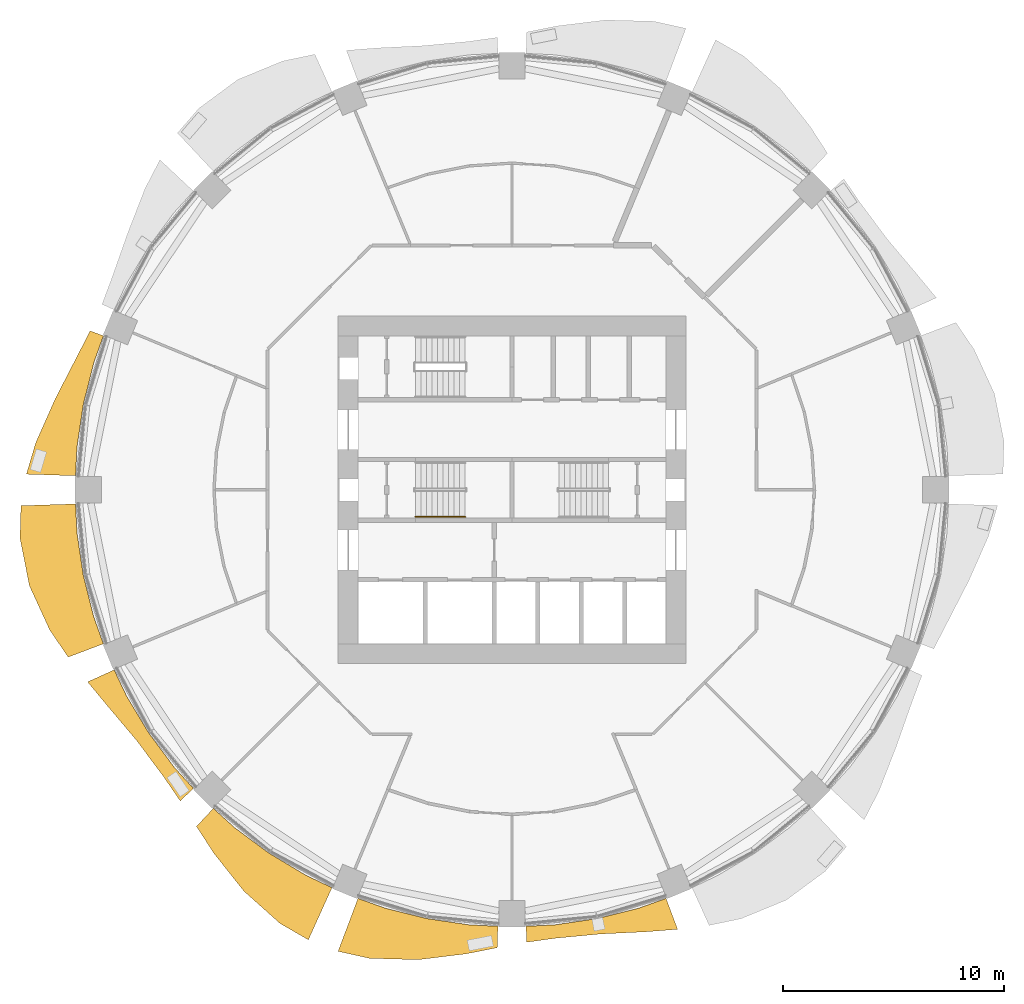
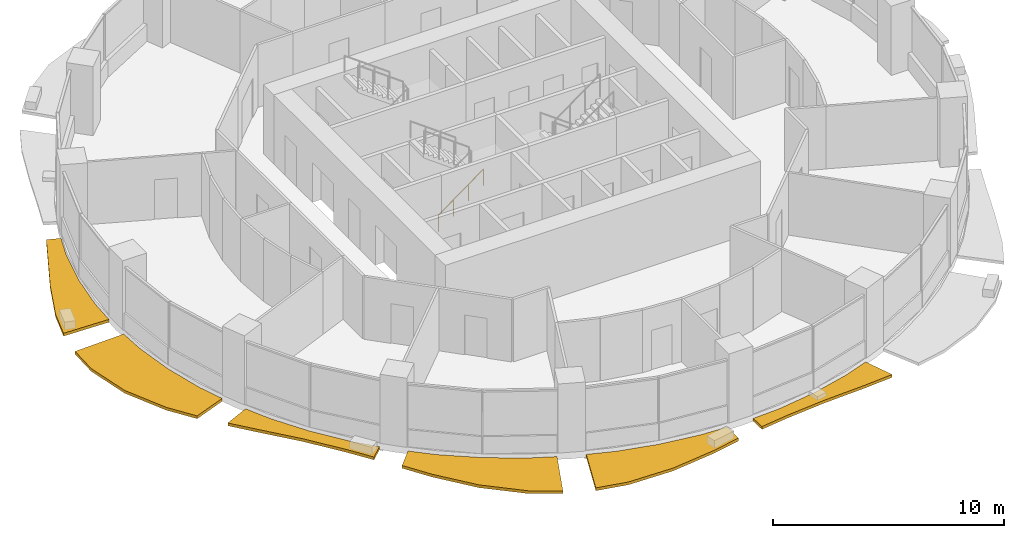
# One storey, part 12 of 15: 6 shading devices, 1 railing.
"""IFC4 building model written with IfcOpenShell, lengths in metres."""

from ifc_helpers import new_model, si_unit, direction, frame, origin, origin_2d, place, context, subcontext, project, spatial, polyline, circle, outline, extrude, material, type_object, element, save


model = new_model("IFC4")

# Units and contexts
model_context = context("Model", 3, precision=1e-05, world=origin(), true_north=direction((0.0, 1.0)))
body_context = subcontext(model_context, "Body", "Model", "MODEL_VIEW")
ifc_project = project(units=[si_unit("LENGTHUNIT", "METRE"), si_unit("AREAUNIT", "SQUARE_METRE"), si_unit("VOLUMEUNIT", "CUBIC_METRE"), si_unit("PLANEANGLEUNIT", "RADIAN"), si_unit("MASSUNIT", "GRAM", prefix="KILO")], contexts=[model_context])

# Site, building, storey
site_placement = place(None, origin())
site = spatial("IfcSite", under=ifc_project, at=site_placement, CompositionType="ELEMENT")
building_placement = place(site_placement, origin())
building = spatial("IfcBuilding", under=site, at=building_placement, Name="Polderwave Tower", CompositionType="ELEMENT")
storey_placement = place(building_placement, frame((0.0, 0.0, 33.5)))
storey = spatial("IfcBuildingStorey", under=building, at=storey_placement, Name="L08", CompositionType="ELEMENT", Elevation=33.5)

# Railing
ifc_material_1 = material(Name="Stainless steel", Category="steel")
railing_type = type_object("IfcRailingType", Name="Stair handrail 900", PredefinedType="HANDRAIL", material=ifc_material_1)
railing_placement = place(storey_placement, frame((-4.3740234375, -1.22509765625, 0.1826171875)))
element("IfcRailing", 1, at=railing_placement, inside=storey, type_object=railing_type, Name="L08 ST-A stair handrail 1", PredefinedType="HANDRAIL", context=body_context, shape_type="SweptSolid", body=[
    extrude(circle(Radius=0.02392578125, at=origin_2d()), frame((0.0, 0.0, 0.8759765625), z_axis=(0.807715371301, 0.0, 0.589572623995), x_axis=(0.0, 1.0, 0.0)), (0.0, 0.0, 1.0), 2.78564453125),
    extrude(circle(Radius=0.02099609375, at=origin_2d()), origin(), (0.0, 0.0, 1.0), 0.851806640625),
    extrude(circle(Radius=0.02099609375, at=origin_2d()), frame((0.75, 0.0, 0.54736328125)), (0.0, 0.0, 1.0), 0.851806640625),
    extrude(circle(Radius=0.02099609375, at=origin_2d()), frame((1.5, 0.0, 1.094970703125)), (0.0, 0.0, 1.0), 0.851806640625),
    extrude(circle(Radius=0.02099609375, at=origin_2d()), frame((2.25, 0.0, 1.642333984375)), (0.0, 0.0, 1.0), 0.851806640625),
])

# Shading devices
ifc_material_2 = material(Name="Terracotta", Category="masonry")
shading_device_type = type_object("IfcShadingDeviceType", Name="Terracotta sunshade band", PredefinedType="USERDEFINED", material=ifc_material_2)
shading_device_1_placement = place(storey_placement, frame((0.0, 0.0, -0.35009765625)))
element("IfcShadingDevice", 2, at=shading_device_1_placement, inside=storey, type_object=shading_device_type, Name="Sunshade band L08 8", ObjectType="SUNSHADE", PredefinedType="USERDEFINED", context=body_context, shape_type="SweptSolid", body=[
    extrude(outline(polyline([(-18.5078125, 6.97607421875), (-18.947509765625, 5.74755859375), (-19.41943359375, 3.86279296875), (-19.70458984375, 1.940673828125), (-19.768798828125, 0.6376953125), (-21.996337890625, 0.709716796875), (-21.576416015625, 2.125), (-20.69482421875, 4.116455078125), (-19.73291015625, 5.98583984375), (-19.106201171875, 7.201416015625), (-18.5078125, 6.97607421875)])), origin(), (0.0, 0.0, 1.0), 0.150146484375),
])
shading_device_2_placement = place(storey_placement, frame((0.0, 0.0, -0.35009765625)))
element("IfcShadingDevice", 3, at=shading_device_2_placement, inside=storey, type_object=shading_device_type, Name="Sunshade band L08 9", ObjectType="SUNSHADE", PredefinedType="USERDEFINED", context=body_context, shape_type="SweptSolid", body=[
    extrude(outline(polyline([(-19.768798828125, -0.6376953125), (-19.70458984375, -1.940673828125), (-19.41943359375, -3.86279296875), (-18.947509765625, -5.74755859375), (-18.5078125, -6.97607421875), (-20.103515625, -7.577392578125), (-20.93798828125, -6.3515625), (-21.8583984375, -4.347900390625), (-22.286376953125, -2.195068359375), (-22.2431640625, -0.717529296875), (-19.768798828125, -0.6376953125)])), origin(), (0.0, 0.0, 1.0), 0.150146484375),
])
shading_device_3_placement = place(storey_placement, frame((0.0, 0.0, -0.35009765625)))
element("IfcShadingDevice", 4, at=shading_device_3_placement, inside=storey, type_object=shading_device_type, Name="Sunshade band L08 10", ObjectType="SUNSHADE", PredefinedType="USERDEFINED", context=body_context, shape_type="SweptSolid", body=[
    extrude(outline(polyline([(-18.019775390625, -8.154296875), (-17.4619140625, -9.333740234375), (-16.463134765625, -11.000244140625), (-15.3056640625, -12.56103515625), (-14.429443359375, -13.527587890625), (-15.029541015625, -14.090087890625), (-15.800537109375, -12.967041015625), (-17.000244140625, -11.359130859375), (-18.3203125, -9.79248046875), (-19.22412109375, -8.69921875), (-18.019775390625, -8.154296875)])), origin(), (0.0, 0.0, 1.0), 0.150146484375),
])
shading_device_4_placement = place(storey_placement, frame((0.0, 0.0, -0.35009765625)))
element("IfcShadingDevice", 5, at=shading_device_4_placement, inside=storey, type_object=shading_device_type, Name="Sunshade band L08 11", ObjectType="SUNSHADE", PredefinedType="USERDEFINED", context=body_context, shape_type="SweptSolid", body=[
    extrude(outline(polyline([(-13.527587890625, -14.429443359375), (-12.56103515625, -15.3056640625), (-11.000244140625, -16.463134765625), (-9.333740234375, -17.4619140625), (-8.154296875, -18.019775390625), (-9.223876953125, -20.383544921875), (-10.50146484375, -19.646728515625), (-12.146240234375, -18.177978515625), (-13.507568359375, -16.458984375), (-14.2919921875, -15.24462890625), (-13.527587890625, -14.429443359375)])), origin(), (0.0, 0.0, 1.0), 0.150146484375),
])
shading_device_5_placement = place(storey_placement, frame((0.0, 0.0, -0.35009765625)))
element("IfcShadingDevice", 6, at=shading_device_5_placement, inside=storey, type_object=shading_device_type, Name="Sunshade band L08 12", ObjectType="SUNSHADE", PredefinedType="USERDEFINED", context=body_context, shape_type="SweptSolid", body=[
    extrude(outline(polyline([(-6.97607421875, -18.5078125), (-5.74755859375, -18.947509765625), (-3.86279296875, -19.41943359375), (-1.940673828125, -19.70458984375), (-0.6376953125, -19.768798828125), (-0.6689453125, -20.7392578125), (-2.070068359375, -21.017578125), (-4.2333984375, -21.28271484375), (-6.438232421875, -21.22412109375), (-7.879150390625, -20.90380859375), (-6.97607421875, -18.5078125)])), origin(), (0.0, 0.0, 1.0), 0.150146484375),
])
shading_device_6_placement = place(storey_placement, frame((0.0, 0.0, -0.35009765625)))
element("IfcShadingDevice", 7, at=shading_device_6_placement, inside=storey, type_object=shading_device_type, Name="Sunshade band L08 13", ObjectType="SUNSHADE", PredefinedType="USERDEFINED", context=body_context, shape_type="SweptSolid", body=[
    extrude(outline(polyline([(0.6376953125, -19.768798828125), (1.940673828125, -19.70458984375), (3.86279296875, -19.41943359375), (5.74755859375, -18.947509765625), (6.97607421875, -18.5078125), (7.50341796875, -19.90673828125), (6.07275390625, -20.01904296875), (4.001953125, -20.119384765625), (2.0, -20.3076171875), (0.660888671875, -20.492431640625), (0.6376953125, -19.768798828125)])), origin(), (0.0, 0.0, 1.0), 0.150146484375),
])

save(model, "model.ifc")
